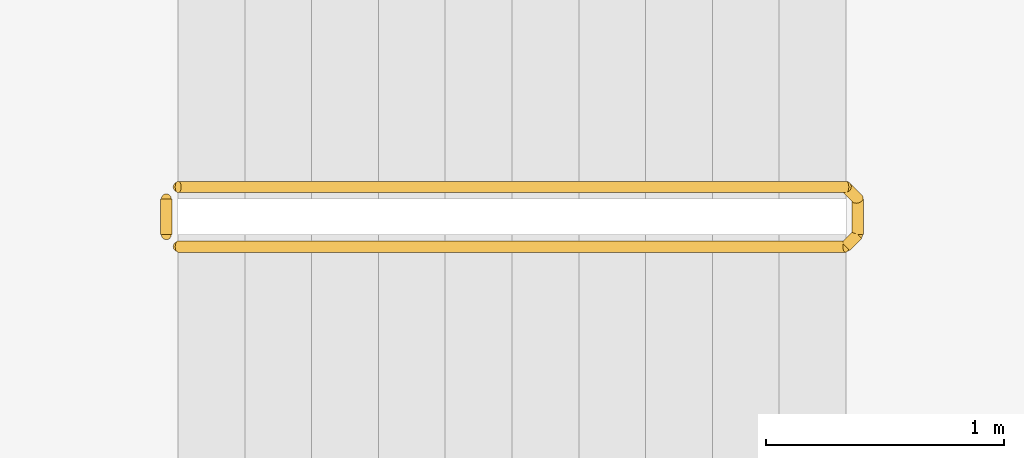
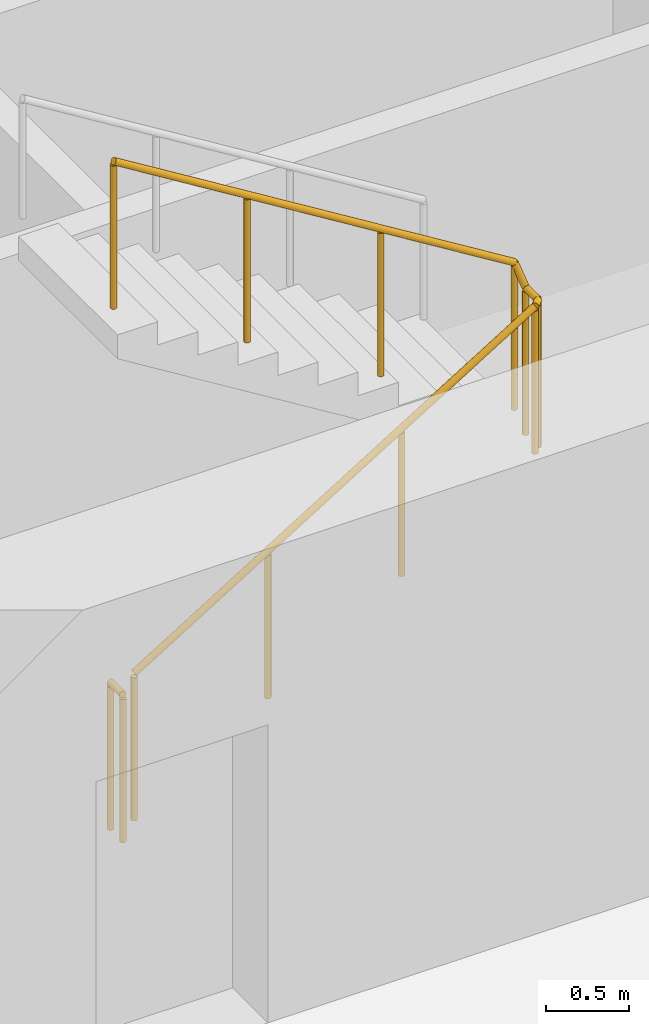
# One storey, part 10 of 14: 2 railings.
"""IFC4 building model written with IfcOpenShell, lengths in metres."""

from ifc_helpers import new_model, si_unit, direction, frame, origin, origin_2d, place, context, subcontext, project, spatial, circle, extrude, material, type_object, element, save


model = new_model("IFC4")

# Units and contexts
model_context = context("Model", 3, precision=1e-05, world=origin(), true_north=direction((0.0, 1.0)))
body_context = subcontext(model_context, "Body", "Model", "MODEL_VIEW")
ifc_project = project(units=[si_unit("LENGTHUNIT", "METRE"), si_unit("AREAUNIT", "SQUARE_METRE"), si_unit("VOLUMEUNIT", "CUBIC_METRE"), si_unit("PLANEANGLEUNIT", "RADIAN"), si_unit("MASSUNIT", "GRAM", prefix="KILO")], contexts=[model_context])

# Site, building, storey
site_placement = place(None, origin())
site = spatial("IfcSite", under=ifc_project, at=site_placement, CompositionType="ELEMENT")
building_placement = place(site_placement, origin())
building = spatial("IfcBuilding", under=site, at=building_placement, Name="Orbiselva Terraces", CompositionType="ELEMENT")
storey_placement = place(building_placement, frame((0.0, 0.0, 45.4)))
storey = spatial("IfcBuildingStorey", under=building, at=storey_placement, Name="L11", CompositionType="ELEMENT", Elevation=45.4)

# Railings
ifc_material = material(Name="Stainless steel", Category="steel")
railing_type = type_object("IfcRailingType", Name="CORE-GUARD-1100", PredefinedType="GUARDRAIL", material=ifc_material)
railing_1_placement = place(storey_placement, frame((-7.15, 6.55, 0.172727)))
element("IfcRailing", 1, at=railing_1_placement, inside=storey, type_object=railing_type, Name="L11 S3 stair guard 1", PredefinedType="GUARDRAIL", context=body_context, shape_type="SweptSolid", body=[
    extrude(circle(Radius=0.024, at=origin_2d()), frame((0.0, 0.0, 1.081), z_axis=(0.851088519012, 0.0, 0.52502222125), x_axis=(0.0, 1.0, 0.0)), (0.0, 0.0, 1.0), 3.289905),
    extrude(circle(Radius=0.024, at=origin_2d()), frame((2.8, 0.0, 2.808273), z_axis=(0.707106781187, 0.707106781187, 0.0), x_axis=(-0.707106781187, 0.707106781187, 0.0)), (0.0, 0.0, 1.0), 0.070711),
    extrude(circle(Radius=0.024, at=origin_2d()), frame((2.85, 0.05, 2.808273), z_axis=(0.0, 1.0, 0.0), x_axis=(-1.0, 0.0, 0.0)), (0.0, 0.0, 1.0), 0.15),
    extrude(circle(Radius=0.024, at=origin_2d()), frame((2.85, 0.2, 2.808273), z_axis=(-0.267894925557, 0.267894925557, 0.925453736133), x_axis=(-0.707106781187, -0.707106781187, 0.0)), (0.0, 0.0, 1.0), 0.18664),
    extrude(circle(Radius=0.024, at=origin_2d()), frame((2.8, 0.25, 2.981), z_axis=(-0.851088519012, 0.0, 0.52502222125), x_axis=(0.0, -1.0, 0.0)), (0.0, 0.0, 1.0), 3.289905),
    extrude(circle(Radius=0.021, at=origin_2d()), origin(), (0.0, 0.0, 1.0), 1.057),
    extrude(circle(Radius=0.021, at=origin_2d()), frame((0.933333, 0.0, 0.575758)), (0.0, 0.0, 1.0), 1.057),
    extrude(circle(Radius=0.021, at=origin_2d()), frame((1.866667, 0.0, 1.151515)), (0.0, 0.0, 1.0), 1.057),
    extrude(circle(Radius=0.021, at=origin_2d()), frame((2.8, 0.0, 1.727273)), (0.0, 0.0, 1.0), 1.057),
    extrude(circle(Radius=0.021, at=origin_2d()), frame((2.85, 0.05, 1.727273)), (0.0, 0.0, 1.0), 1.057),
    extrude(circle(Radius=0.021, at=origin_2d()), frame((2.85, 0.2, 1.727273)), (0.0, 0.0, 1.0), 1.057),
    extrude(circle(Radius=0.021, at=origin_2d()), frame((2.8, 0.25, 1.9)), (0.0, 0.0, 1.0), 1.057),
    extrude(circle(Radius=0.021, at=origin_2d()), frame((1.866667, 0.25, 2.475758)), (0.0, 0.0, 1.0), 1.057),
    extrude(circle(Radius=0.021, at=origin_2d()), frame((0.933333, 0.25, 3.051515)), (0.0, 0.0, 1.0), 1.057),
    extrude(circle(Radius=0.021, at=origin_2d()), frame((0.0, 0.25, 3.627273)), (0.0, 0.0, 1.0), 1.057),
])
railing_2_placement = place(storey_placement, frame((-7.2, 6.6, 0.0)))
element("IfcRailing", 2, at=railing_2_placement, inside=storey, type_object=railing_type, Name="L11 S3 stair guard 2", PredefinedType="GUARDRAIL", context=body_context, shape_type="SweptSolid", body=[
    extrude(circle(Radius=0.024, at=origin_2d()), frame((0.0, 0.0, 1.081), z_axis=(0.0, 1.0, 0.0), x_axis=(-1.0, 0.0, 0.0)), (0.0, 0.0, 1.0), 0.15),
    extrude(circle(Radius=0.021, at=origin_2d()), origin(), (0.0, 0.0, 1.0), 1.057),
    extrude(circle(Radius=0.021, at=origin_2d()), frame((0.0, 0.15, 0.0)), (0.0, 0.0, 1.0), 1.057),
])

save(model, "model.ifc")
